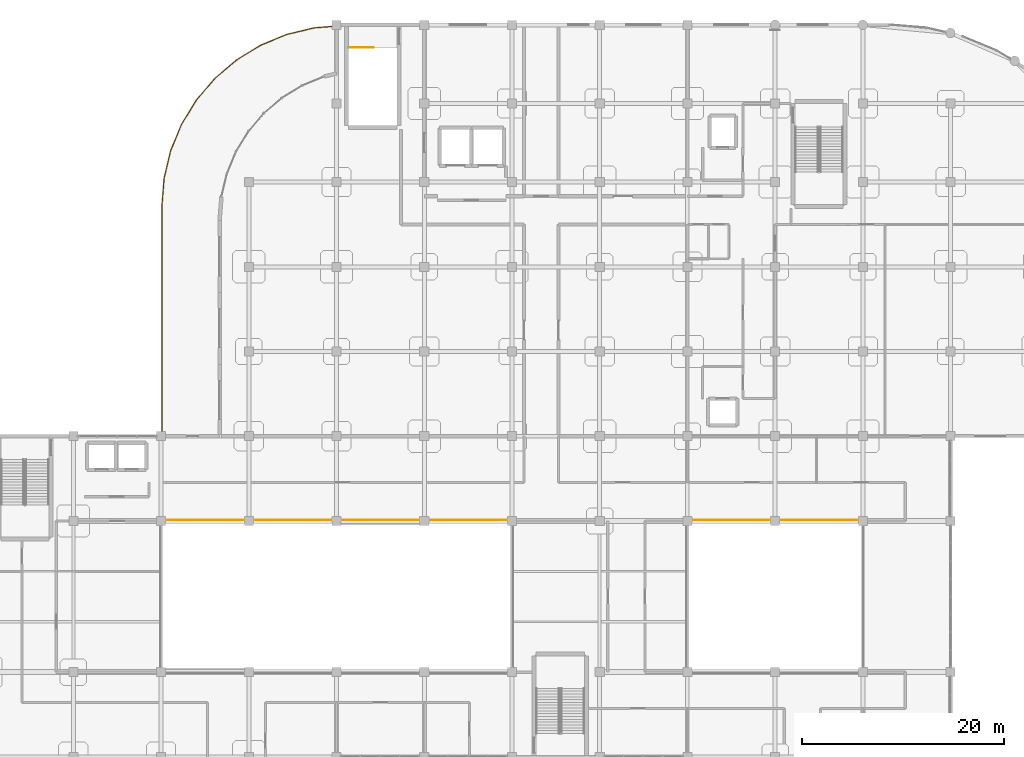
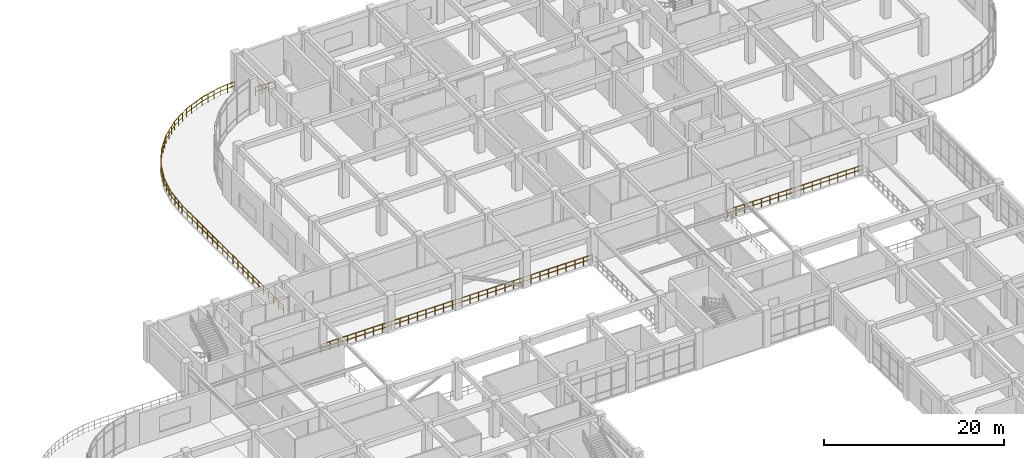
# One storey, part 117 of 120: 4 railings.
"""IFC4 building model written with IfcOpenShell, lengths in metres."""

from ifc_helpers import new_model, si_unit, derived_unit, direction, frame, origin, origin_2d, place, context, subcontext, project, spatial, circle, extrude, material, type_object, element, save


model = new_model("IFC4")

# Units and contexts
model_context = context("Model", 3, precision=1e-05, world=origin(), true_north=direction((0.0, 1.0)))
body_context = subcontext(model_context, "Body", "Model", "MODEL_VIEW")
ifc_project = project(units=[si_unit("LENGTHUNIT", "METRE"), si_unit("AREAUNIT", "SQUARE_METRE"), si_unit("VOLUMEUNIT", "CUBIC_METRE"), si_unit("PLANEANGLEUNIT", "RADIAN"), si_unit("MASSUNIT", "GRAM", prefix="KILO"), derived_unit("THERMALTRANSMITTANCEUNIT", [(si_unit("MASSUNIT", "GRAM", prefix="KILO"), 1), (si_unit("TIMEUNIT", "SECOND"), -3), (si_unit("THERMODYNAMICTEMPERATUREUNIT", "KELVIN"), -1)])], contexts=[model_context])

# Site, building, storey
site_placement = place(None, origin())
site = spatial("IfcSite", under=ifc_project, at=site_placement, CompositionType="ELEMENT")
building_placement = place(site_placement, origin())
building = spatial("IfcBuilding", under=site, at=building_placement, Name="Qinzheling Arcade Emporium", CompositionType="ELEMENT")
storey_placement = place(building_placement, frame((0.0, 0.0, 11.39990234375)))
storey = spatial("IfcBuildingStorey", under=building, at=storey_placement, Name="L03", CompositionType="ELEMENT", Elevation=11.39990234375)

# Railings
ifc_material_1 = material(Name="Architectural bronze rail and laminated safety glass", Category="glass")
railing_type_1 = type_object("IfcRailingType", Name="Curved Terrace Laminated Glass and Bronze Balustrade 1150", PredefinedType="BALUSTRADE", material=ifc_material_1)
railing_1_placement = place(storey_placement, frame((52.280029296875, 74.02001953125, 0.0)))
element("IfcRailing", 1, at=railing_1_placement, inside=storey, type_object=railing_type_1, Name="Terrace Balustrade RLG-TER-L03-003", PredefinedType="BALUSTRADE", context=body_context, shape_type="SweptSolid", body=[
    extrude(circle(Radius=0.02392578125, at=origin_2d()), frame((0.0, 0.0, 1.1259765625), z_axis=(0.0, 1.0, 0.0), x_axis=(-1.0, 0.0, 0.0)), (0.0, 0.0, 1.0), 22.576904296875),
    extrude(circle(Radius=0.01611328125, at=origin_2d()), frame((0.0, 0.0, 0.574951171875), z_axis=(0.0, 1.0, 0.0), x_axis=(-1.0, 0.0, 0.0)), (0.0, 0.0, 1.0), 22.576904296875),
    extrude(circle(Radius=0.02392578125, at=origin_2d()), frame((0.0, 22.576904296875, 1.1259765625), z_axis=(0.078493798051, 0.996914601993, 0.0), x_axis=(-0.996914601993, 0.078493798051, 0.0)), (0.0, 0.0, 1.0), 2.81494140625),
    extrude(circle(Radius=0.01611328125, at=origin_2d()), frame((0.0, 22.576904296875, 0.574951171875), z_axis=(0.078493798051, 0.996914601993, 0.0), x_axis=(-0.996914601993, 0.078493798051, 0.0)), (0.0, 0.0, 1.0), 2.81494140625),
    extrude(circle(Radius=0.02392578125, at=origin_2d()), frame((0.220947265625, 25.383056640625, 1.1259765625), z_axis=(0.233330256437, 0.972397548038, 0.0), x_axis=(-0.972397548038, 0.233330256437, 0.0)), (0.0, 0.0, 1.0), 2.8115234375),
    extrude(circle(Radius=0.01611328125, at=origin_2d()), frame((0.220947265625, 25.383056640625, 0.574951171875), z_axis=(0.233330256437, 0.972397548038, 0.0), x_axis=(-0.972397548038, 0.233330256437, 0.0)), (0.0, 0.0, 1.0), 2.8115234375),
    extrude(circle(Radius=0.02392578125, at=origin_2d()), frame((0.876953125, 28.116943359375, 1.1259765625), z_axis=(0.382482105606, 0.923962899088, 0.0), x_axis=(-0.923962899088, 0.382482105606, 0.0)), (0.0, 0.0, 1.0), 2.81298828125),
    extrude(circle(Radius=0.01611328125, at=origin_2d()), frame((0.876953125, 28.116943359375, 0.574951171875), z_axis=(0.382482105606, 0.923962899088, 0.0), x_axis=(-0.923962899088, 0.382482105606, 0.0)), (0.0, 0.0, 1.0), 2.81298828125),
    extrude(circle(Radius=0.02392578125, at=origin_2d()), frame((1.952880859375, 30.716064453125, 1.1259765625), z_axis=(0.522783967343, 0.852465203682, 0.0), x_axis=(-0.852465203682, 0.522783967343, 0.0)), (0.0, 0.0, 1.0), 2.811767578125),
    extrude(circle(Radius=0.01611328125, at=origin_2d()), frame((1.952880859375, 30.716064453125, 0.574951171875), z_axis=(0.522783967343, 0.852465203682, 0.0), x_axis=(-0.852465203682, 0.522783967343, 0.0)), (0.0, 0.0, 1.0), 2.811767578125),
    extrude(circle(Radius=0.02392578125, at=origin_2d()), frame((3.4228515625, 33.113037109375, 1.1259765625), z_axis=(0.649488987767, 0.760370998112, 0.0), x_axis=(-0.760370998112, 0.649488987767, 0.0)), (0.0, 0.0, 1.0), 2.811767578125),
    extrude(circle(Radius=0.01611328125, at=origin_2d()), frame((3.4228515625, 33.113037109375, 0.574951171875), z_axis=(0.649488987767, 0.760370998112, 0.0), x_axis=(-0.760370998112, 0.649488987767, 0.0)), (0.0, 0.0, 1.0), 2.811767578125),
    extrude(circle(Radius=0.02392578125, at=origin_2d()), frame((5.2490234375, 35.2509765625, 1.1259765625), z_axis=(0.760413880132, 0.64943878149, 0.0), x_axis=(-0.64943878149, 0.760413880132, 0.0)), (0.0, 0.0, 1.0), 2.8115234375),
    extrude(circle(Radius=0.01611328125, at=origin_2d()), frame((5.2490234375, 35.2509765625, 0.574951171875), z_axis=(0.760413880132, 0.64943878149, 0.0), x_axis=(-0.64943878149, 0.760413880132, 0.0)), (0.0, 0.0, 1.0), 2.8115234375),
    extrude(circle(Radius=0.02392578125, at=origin_2d()), frame((7.386962890625, 37.076904296875, 1.1259765625), z_axis=(0.852465203682, 0.522783967343, 0.0), x_axis=(-0.522783967343, 0.852465203682, 0.0)), (0.0, 0.0, 1.0), 2.811767578125),
    extrude(circle(Radius=0.01611328125, at=origin_2d()), frame((7.386962890625, 37.076904296875, 0.574951171875), z_axis=(0.852465203682, 0.522783967343, 0.0), x_axis=(-0.522783967343, 0.852465203682, 0.0)), (0.0, 0.0, 1.0), 2.811767578125),
    extrude(circle(Radius=0.02392578125, at=origin_2d()), frame((9.783935546875, 38.546875, 1.1259765625), z_axis=(0.923932225727, 0.382556194909, 0.0), x_axis=(-0.382556194909, 0.923932225727, 0.0)), (0.0, 0.0, 1.0), 2.81298828125),
    extrude(circle(Radius=0.01611328125, at=origin_2d()), frame((9.783935546875, 38.546875, 0.574951171875), z_axis=(0.923932225727, 0.382556194909, 0.0), x_axis=(-0.382556194909, 0.923932225727, 0.0)), (0.0, 0.0, 1.0), 2.81298828125),
    extrude(circle(Radius=0.02392578125, at=origin_2d()), frame((12.383056640625, 39.623046875, 1.1259765625), z_axis=(0.972397548038, 0.233330256437, 0.0), x_axis=(-0.233330256437, 0.972397548038, 0.0)), (0.0, 0.0, 1.0), 2.8115234375),
    extrude(circle(Radius=0.01611328125, at=origin_2d()), frame((12.383056640625, 39.623046875, 0.574951171875), z_axis=(0.972397548038, 0.233330256437, 0.0), x_axis=(-0.233330256437, 0.972397548038, 0.0)), (0.0, 0.0, 1.0), 2.8115234375),
    extrude(circle(Radius=0.02392578125, at=origin_2d()), frame((15.116943359375, 40.279052734375, 1.1259765625), z_axis=(0.996919400045, 0.078432836325, 0.0), x_axis=(-0.078432836325, 0.996919400045, 0.0)), (0.0, 0.0, 1.0), 1.989013671875),
    extrude(circle(Radius=0.01611328125, at=origin_2d()), frame((15.116943359375, 40.279052734375, 0.574951171875), z_axis=(0.996919400045, 0.078432836325, 0.0), x_axis=(-0.078432836325, 0.996919400045, 0.0)), (0.0, 0.0, 1.0), 1.989013671875),
    extrude(circle(Radius=0.02099609375, at=origin_2d()), origin(), (0.0, 0.0, 1.0), 1.101806640625),
    extrude(circle(Radius=0.02099609375, at=origin_2d()), frame((0.0, 1.12890625, 0.0)), (0.0, 0.0, 1.0), 1.101806640625),
    extrude(circle(Radius=0.02099609375, at=origin_2d()), frame((0.0, 2.2578125, 0.0)), (0.0, 0.0, 1.0), 1.101806640625),
    extrude(circle(Radius=0.02099609375, at=origin_2d()), frame((0.0, 3.386474609375, 0.0)), (0.0, 0.0, 1.0), 1.101806640625),
    extrude(circle(Radius=0.02099609375, at=origin_2d()), frame((0.0, 4.515380859375, 0.0)), (0.0, 0.0, 1.0), 1.101806640625),
    extrude(circle(Radius=0.02099609375, at=origin_2d()), frame((0.0, 5.644287109375, 0.0)), (0.0, 0.0, 1.0), 1.101806640625),
    extrude(circle(Radius=0.02099609375, at=origin_2d()), frame((0.0, 6.77294921875, 0.0)), (0.0, 0.0, 1.0), 1.101806640625),
    extrude(circle(Radius=0.02099609375, at=origin_2d()), frame((0.0, 7.90185546875, 0.0)), (0.0, 0.0, 1.0), 1.101806640625),
    extrude(circle(Radius=0.02099609375, at=origin_2d()), frame((0.0, 9.03076171875, 0.0)), (0.0, 0.0, 1.0), 1.101806640625),
    extrude(circle(Radius=0.02099609375, at=origin_2d()), frame((0.0, 10.15966796875, 0.0)), (0.0, 0.0, 1.0), 1.101806640625),
    extrude(circle(Radius=0.02099609375, at=origin_2d()), frame((0.0, 11.28857421875, 0.0)), (0.0, 0.0, 1.0), 1.101806640625),
    extrude(circle(Radius=0.02099609375, at=origin_2d()), frame((0.0, 12.417236328125, 0.0)), (0.0, 0.0, 1.0), 1.101806640625),
    extrude(circle(Radius=0.02099609375, at=origin_2d()), frame((0.0, 13.546142578125, 0.0)), (0.0, 0.0, 1.0), 1.101806640625),
    extrude(circle(Radius=0.02099609375, at=origin_2d()), frame((0.0, 14.675048828125, 0.0)), (0.0, 0.0, 1.0), 1.101806640625),
    extrude(circle(Radius=0.02099609375, at=origin_2d()), frame((0.0, 15.8037109375, 0.0)), (0.0, 0.0, 1.0), 1.101806640625),
    extrude(circle(Radius=0.02099609375, at=origin_2d()), frame((0.0, 16.9326171875, 0.0)), (0.0, 0.0, 1.0), 1.101806640625),
    extrude(circle(Radius=0.02099609375, at=origin_2d()), frame((0.0, 18.0615234375, 0.0)), (0.0, 0.0, 1.0), 1.101806640625),
    extrude(circle(Radius=0.02099609375, at=origin_2d()), frame((0.0, 19.1904296875, 0.0)), (0.0, 0.0, 1.0), 1.101806640625),
    extrude(circle(Radius=0.02099609375, at=origin_2d()), frame((0.0, 20.3193359375, 0.0)), (0.0, 0.0, 1.0), 1.101806640625),
    extrude(circle(Radius=0.02099609375, at=origin_2d()), frame((0.0, 21.447998046875, 0.0)), (0.0, 0.0, 1.0), 1.101806640625),
    extrude(circle(Radius=0.02099609375, at=origin_2d()), frame((0.0, 22.576904296875, 0.0)), (0.0, 0.0, 1.0), 1.101806640625),
    extrude(circle(Radius=0.02099609375, at=origin_2d()), frame((0.07373046875, 23.51220703125, 0.0)), (0.0, 0.0, 1.0), 1.101806640625),
    extrude(circle(Radius=0.02099609375, at=origin_2d()), frame((0.147216796875, 24.44775390625, 0.0)), (0.0, 0.0, 1.0), 1.101806640625),
    extrude(circle(Radius=0.02099609375, at=origin_2d()), frame((0.220947265625, 25.383056640625, 0.0)), (0.0, 0.0, 1.0), 1.101806640625),
    extrude(circle(Radius=0.02099609375, at=origin_2d()), frame((0.439697265625, 26.29443359375, 0.0)), (0.0, 0.0, 1.0), 1.101806640625),
    extrude(circle(Radius=0.02099609375, at=origin_2d()), frame((0.658203125, 27.20556640625, 0.0)), (0.0, 0.0, 1.0), 1.101806640625),
    extrude(circle(Radius=0.02099609375, at=origin_2d()), frame((0.876953125, 28.116943359375, 0.0)), (0.0, 0.0, 1.0), 1.101806640625),
    extrude(circle(Radius=0.02099609375, at=origin_2d()), frame((1.235595703125, 28.9833984375, 0.0)), (0.0, 0.0, 1.0), 1.101806640625),
    extrude(circle(Radius=0.02099609375, at=origin_2d()), frame((1.59423828125, 29.849609375, 0.0)), (0.0, 0.0, 1.0), 1.101806640625),
    extrude(circle(Radius=0.02099609375, at=origin_2d()), frame((1.952880859375, 30.716064453125, 0.0)), (0.0, 0.0, 1.0), 1.101806640625),
    extrude(circle(Radius=0.02099609375, at=origin_2d()), frame((2.44287109375, 31.51513671875, 0.0)), (0.0, 0.0, 1.0), 1.101806640625),
    extrude(circle(Radius=0.02099609375, at=origin_2d()), frame((2.932861328125, 32.31396484375, 0.0)), (0.0, 0.0, 1.0), 1.101806640625),
    extrude(circle(Radius=0.02099609375, at=origin_2d()), frame((3.4228515625, 33.113037109375, 0.0)), (0.0, 0.0, 1.0), 1.101806640625),
    extrude(circle(Radius=0.02099609375, at=origin_2d()), frame((4.031494140625, 33.82568359375, 0.0)), (0.0, 0.0, 1.0), 1.101806640625),
    extrude(circle(Radius=0.02099609375, at=origin_2d()), frame((4.640380859375, 34.538330078125, 0.0)), (0.0, 0.0, 1.0), 1.101806640625),
    extrude(circle(Radius=0.02099609375, at=origin_2d()), frame((5.2490234375, 35.2509765625, 0.0)), (0.0, 0.0, 1.0), 1.101806640625),
    extrude(circle(Radius=0.02099609375, at=origin_2d()), frame((5.961669921875, 35.859619140625, 0.0)), (0.0, 0.0, 1.0), 1.101806640625),
    extrude(circle(Radius=0.02099609375, at=origin_2d()), frame((6.67431640625, 36.46826171875, 0.0)), (0.0, 0.0, 1.0), 1.101806640625),
    extrude(circle(Radius=0.02099609375, at=origin_2d()), frame((7.386962890625, 37.076904296875, 0.0)), (0.0, 0.0, 1.0), 1.101806640625),
    extrude(circle(Radius=0.02099609375, at=origin_2d()), frame((8.18603515625, 37.56689453125, 0.0)), (0.0, 0.0, 1.0), 1.101806640625),
    extrude(circle(Radius=0.02099609375, at=origin_2d()), frame((8.98486328125, 38.056884765625, 0.0)), (0.0, 0.0, 1.0), 1.101806640625),
    extrude(circle(Radius=0.02099609375, at=origin_2d()), frame((9.783935546875, 38.546875, 0.0)), (0.0, 0.0, 1.0), 1.101806640625),
    extrude(circle(Radius=0.02099609375, at=origin_2d()), frame((10.650390625, 38.905517578125, 0.0)), (0.0, 0.0, 1.0), 1.101806640625),
    extrude(circle(Radius=0.02099609375, at=origin_2d()), frame((11.5166015625, 39.264404296875, 0.0)), (0.0, 0.0, 1.0), 1.101806640625),
    extrude(circle(Radius=0.02099609375, at=origin_2d()), frame((12.383056640625, 39.623046875, 0.0)), (0.0, 0.0, 1.0), 1.101806640625),
    extrude(circle(Radius=0.02099609375, at=origin_2d()), frame((13.29443359375, 39.841796875, 0.0)), (0.0, 0.0, 1.0), 1.101806640625),
    extrude(circle(Radius=0.02099609375, at=origin_2d()), frame((14.20556640625, 40.060302734375, 0.0)), (0.0, 0.0, 1.0), 1.101806640625),
    extrude(circle(Radius=0.02099609375, at=origin_2d()), frame((15.116943359375, 40.279052734375, 0.0)), (0.0, 0.0, 1.0), 1.101806640625),
    extrude(circle(Radius=0.02099609375, at=origin_2d()), frame((16.1083984375, 40.35693359375, 0.0)), (0.0, 0.0, 1.0), 1.101806640625),
    extrude(circle(Radius=0.02099609375, at=origin_2d()), frame((17.099853515625, 40.43505859375, 0.0)), (0.0, 0.0, 1.0), 1.101806640625),
])
ifc_material_2 = material(Name="Galvanised powder-coated tubular steel", Category="steel")
railing_type_2 = type_object("IfcRailingType", Name="Painted Steel Stairwell Guard Railing 1150", PredefinedType="GUARDRAIL", material=ifc_material_2)
railing_2_placement = place(storey_placement, frame((70.800048828125, 112.330078125, 0.0)))
element("IfcRailing", 2, at=railing_2_placement, inside=storey, type_object=railing_type_2, Name="L03 ST07 top well guard 1", PredefinedType="GUARDRAIL", context=body_context, shape_type="SweptSolid", body=[
    extrude(circle(Radius=0.02392578125, at=origin_2d()), frame((0.0, 0.0, 1.1259765625), z_axis=(1.0, 0.0, 0.0), x_axis=(0.0, 1.0, 0.0)), (0.0, 0.0, 1.0), 2.469970703125),
    extrude(circle(Radius=0.01611328125, at=origin_2d()), frame((0.0, 0.0, 0.574951171875), z_axis=(1.0, 0.0, 0.0), x_axis=(0.0, 1.0, 0.0)), (0.0, 0.0, 1.0), 2.469970703125),
    extrude(circle(Radius=0.02099609375, at=origin_2d()), origin(), (0.0, 0.0, 1.0), 1.101806640625),
    extrude(circle(Radius=0.02099609375, at=origin_2d()), frame((0.8232421875, 0.0, 0.0)), (0.0, 0.0, 1.0), 1.101806640625),
    extrude(circle(Radius=0.02099609375, at=origin_2d()), frame((1.646728515625, 0.0, 0.0)), (0.0, 0.0, 1.0), 1.101806640625),
    extrude(circle(Radius=0.02099609375, at=origin_2d()), frame((2.469970703125, 0.0, 0.0)), (0.0, 0.0, 1.0), 1.101806640625),
])
railing_3_placement = place(storey_placement, frame((52.169921875, 65.47998046875, 0.0)))
element("IfcRailing", 3, at=railing_3_placement, inside=storey, type_object=railing_type_2, Name="Atrium Void Guard L03 N", PredefinedType="GUARDRAIL", context=body_context, shape_type="SweptSolid", body=[
    extrude(circle(Radius=0.02392578125, at=origin_2d()), frame((0.0, 0.0, 1.1259765625), z_axis=(1.0, 0.0, 0.0), x_axis=(0.0, 1.0, 0.0)), (0.0, 0.0, 1.0), 34.860107421875),
    extrude(circle(Radius=0.01611328125, at=origin_2d()), frame((0.0, 0.0, 0.574951171875), z_axis=(1.0, 0.0, 0.0), x_axis=(0.0, 1.0, 0.0)), (0.0, 0.0, 1.0), 34.860107421875),
    extrude(circle(Radius=0.02099609375, at=origin_2d()), origin(), (0.0, 0.0, 1.0), 1.101806640625),
    extrude(circle(Radius=0.02099609375, at=origin_2d()), frame((1.12451171875, 0.0, 0.0)), (0.0, 0.0, 1.0), 1.101806640625),
    extrude(circle(Radius=0.02099609375, at=origin_2d()), frame((2.2490234375, 0.0, 0.0)), (0.0, 0.0, 1.0), 1.101806640625),
    extrude(circle(Radius=0.02099609375, at=origin_2d()), frame((3.37353515625, 0.0, 0.0)), (0.0, 0.0, 1.0), 1.101806640625),
    extrude(circle(Radius=0.02099609375, at=origin_2d()), frame((4.498046875, 0.0, 0.0)), (0.0, 0.0, 1.0), 1.101806640625),
    extrude(circle(Radius=0.02099609375, at=origin_2d()), frame((5.62255859375, 0.0, 0.0)), (0.0, 0.0, 1.0), 1.101806640625),
    extrude(circle(Radius=0.02099609375, at=origin_2d()), frame((6.7470703125, 0.0, 0.0)), (0.0, 0.0, 1.0), 1.101806640625),
    extrude(circle(Radius=0.02099609375, at=origin_2d()), frame((7.87158203125, 0.0, 0.0)), (0.0, 0.0, 1.0), 1.101806640625),
    extrude(circle(Radius=0.02099609375, at=origin_2d()), frame((8.99609375, 0.0, 0.0)), (0.0, 0.0, 1.0), 1.101806640625),
    extrude(circle(Radius=0.02099609375, at=origin_2d()), frame((10.12060546875, 0.0, 0.0)), (0.0, 0.0, 1.0), 1.101806640625),
    extrude(circle(Radius=0.02099609375, at=origin_2d()), frame((11.2451171875, 0.0, 0.0)), (0.0, 0.0, 1.0), 1.101806640625),
    extrude(circle(Radius=0.02099609375, at=origin_2d()), frame((12.36962890625, 0.0, 0.0)), (0.0, 0.0, 1.0), 1.101806640625),
    extrude(circle(Radius=0.02099609375, at=origin_2d()), frame((13.494140625, 0.0, 0.0)), (0.0, 0.0, 1.0), 1.101806640625),
    extrude(circle(Radius=0.02099609375, at=origin_2d()), frame((14.61865234375, 0.0, 0.0)), (0.0, 0.0, 1.0), 1.101806640625),
    extrude(circle(Radius=0.02099609375, at=origin_2d()), frame((15.7431640625, 0.0, 0.0)), (0.0, 0.0, 1.0), 1.101806640625),
    extrude(circle(Radius=0.02099609375, at=origin_2d()), frame((16.86767578125, 0.0, 0.0)), (0.0, 0.0, 1.0), 1.101806640625),
    extrude(circle(Radius=0.02099609375, at=origin_2d()), frame((17.992431640625, 0.0, 0.0)), (0.0, 0.0, 1.0), 1.101806640625),
    extrude(circle(Radius=0.02099609375, at=origin_2d()), frame((19.116943359375, 0.0, 0.0)), (0.0, 0.0, 1.0), 1.101806640625),
    extrude(circle(Radius=0.02099609375, at=origin_2d()), frame((20.241455078125, 0.0, 0.0)), (0.0, 0.0, 1.0), 1.101806640625),
    extrude(circle(Radius=0.02099609375, at=origin_2d()), frame((21.365966796875, 0.0, 0.0)), (0.0, 0.0, 1.0), 1.101806640625),
    extrude(circle(Radius=0.02099609375, at=origin_2d()), frame((22.490478515625, 0.0, 0.0)), (0.0, 0.0, 1.0), 1.101806640625),
    extrude(circle(Radius=0.02099609375, at=origin_2d()), frame((23.614990234375, 0.0, 0.0)), (0.0, 0.0, 1.0), 1.101806640625),
    extrude(circle(Radius=0.02099609375, at=origin_2d()), frame((24.739501953125, 0.0, 0.0)), (0.0, 0.0, 1.0), 1.101806640625),
    extrude(circle(Radius=0.02099609375, at=origin_2d()), frame((25.864013671875, 0.0, 0.0)), (0.0, 0.0, 1.0), 1.101806640625),
    extrude(circle(Radius=0.02099609375, at=origin_2d()), frame((26.988525390625, 0.0, 0.0)), (0.0, 0.0, 1.0), 1.101806640625),
    extrude(circle(Radius=0.02099609375, at=origin_2d()), frame((28.113037109375, 0.0, 0.0)), (0.0, 0.0, 1.0), 1.101806640625),
    extrude(circle(Radius=0.02099609375, at=origin_2d()), frame((29.237548828125, 0.0, 0.0)), (0.0, 0.0, 1.0), 1.101806640625),
    extrude(circle(Radius=0.02099609375, at=origin_2d()), frame((30.362060546875, 0.0, 0.0)), (0.0, 0.0, 1.0), 1.101806640625),
    extrude(circle(Radius=0.02099609375, at=origin_2d()), frame((31.486572265625, 0.0, 0.0)), (0.0, 0.0, 1.0), 1.101806640625),
    extrude(circle(Radius=0.02099609375, at=origin_2d()), frame((32.611083984375, 0.0, 0.0)), (0.0, 0.0, 1.0), 1.101806640625),
    extrude(circle(Radius=0.02099609375, at=origin_2d()), frame((33.735595703125, 0.0, 0.0)), (0.0, 0.0, 1.0), 1.101806640625),
    extrude(circle(Radius=0.02099609375, at=origin_2d()), frame((34.860107421875, 0.0, 0.0)), (0.0, 0.0, 1.0), 1.101806640625),
])
railing_4_placement = place(storey_placement, frame((104.3701171875, 65.47998046875, 0.0)))
element("IfcRailing", 4, at=railing_4_placement, inside=storey, type_object=railing_type_2, Name="Arcade Void Guard L03 N", PredefinedType="GUARDRAIL", context=body_context, shape_type="SweptSolid", body=[
    extrude(circle(Radius=0.02392578125, at=origin_2d()), frame((0.0, 0.0, 1.1259765625), z_axis=(1.0, 0.0, 0.0), x_axis=(0.0, 1.0, 0.0)), (0.0, 0.0, 1.0), 17.4599609375),
    extrude(circle(Radius=0.01611328125, at=origin_2d()), frame((0.0, 0.0, 0.574951171875), z_axis=(1.0, 0.0, 0.0), x_axis=(0.0, 1.0, 0.0)), (0.0, 0.0, 1.0), 17.4599609375),
    extrude(circle(Radius=0.02099609375, at=origin_2d()), origin(), (0.0, 0.0, 1.0), 1.101806640625),
    extrude(circle(Radius=0.02099609375, at=origin_2d()), frame((1.09130859375, 0.0, 0.0)), (0.0, 0.0, 1.0), 1.101806640625),
    extrude(circle(Radius=0.02099609375, at=origin_2d()), frame((2.1826171875, 0.0, 0.0)), (0.0, 0.0, 1.0), 1.101806640625),
    extrude(circle(Radius=0.02099609375, at=origin_2d()), frame((3.273681640625, 0.0, 0.0)), (0.0, 0.0, 1.0), 1.101806640625),
    extrude(circle(Radius=0.02099609375, at=origin_2d()), frame((4.364990234375, 0.0, 0.0)), (0.0, 0.0, 1.0), 1.101806640625),
    extrude(circle(Radius=0.02099609375, at=origin_2d()), frame((5.456298828125, 0.0, 0.0)), (0.0, 0.0, 1.0), 1.101806640625),
    extrude(circle(Radius=0.02099609375, at=origin_2d()), frame((6.54736328125, 0.0, 0.0)), (0.0, 0.0, 1.0), 1.101806640625),
    extrude(circle(Radius=0.02099609375, at=origin_2d()), frame((7.638671875, 0.0, 0.0)), (0.0, 0.0, 1.0), 1.101806640625),
    extrude(circle(Radius=0.02099609375, at=origin_2d()), frame((8.72998046875, 0.0, 0.0)), (0.0, 0.0, 1.0), 1.101806640625),
    extrude(circle(Radius=0.02099609375, at=origin_2d()), frame((9.8212890625, 0.0, 0.0)), (0.0, 0.0, 1.0), 1.101806640625),
    extrude(circle(Radius=0.02099609375, at=origin_2d()), frame((10.91259765625, 0.0, 0.0)), (0.0, 0.0, 1.0), 1.101806640625),
    extrude(circle(Radius=0.02099609375, at=origin_2d()), frame((12.003662109375, 0.0, 0.0)), (0.0, 0.0, 1.0), 1.101806640625),
    extrude(circle(Radius=0.02099609375, at=origin_2d()), frame((13.094970703125, 0.0, 0.0)), (0.0, 0.0, 1.0), 1.101806640625),
    extrude(circle(Radius=0.02099609375, at=origin_2d()), frame((14.186279296875, 0.0, 0.0)), (0.0, 0.0, 1.0), 1.101806640625),
    extrude(circle(Radius=0.02099609375, at=origin_2d()), frame((15.27734375, 0.0, 0.0)), (0.0, 0.0, 1.0), 1.101806640625),
    extrude(circle(Radius=0.02099609375, at=origin_2d()), frame((16.36865234375, 0.0, 0.0)), (0.0, 0.0, 1.0), 1.101806640625),
    extrude(circle(Radius=0.02099609375, at=origin_2d()), frame((17.4599609375, 0.0, 0.0)), (0.0, 0.0, 1.0), 1.101806640625),
])

save(model, "model.ifc")
